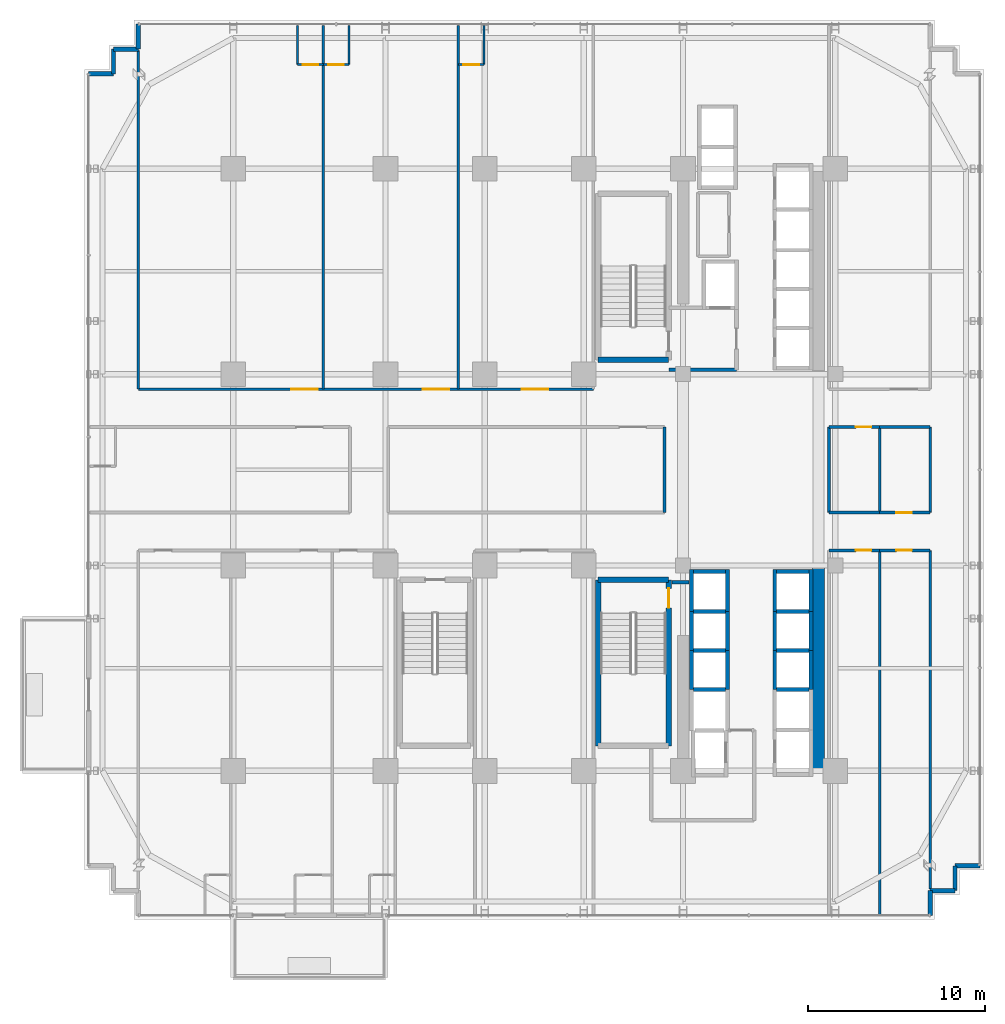
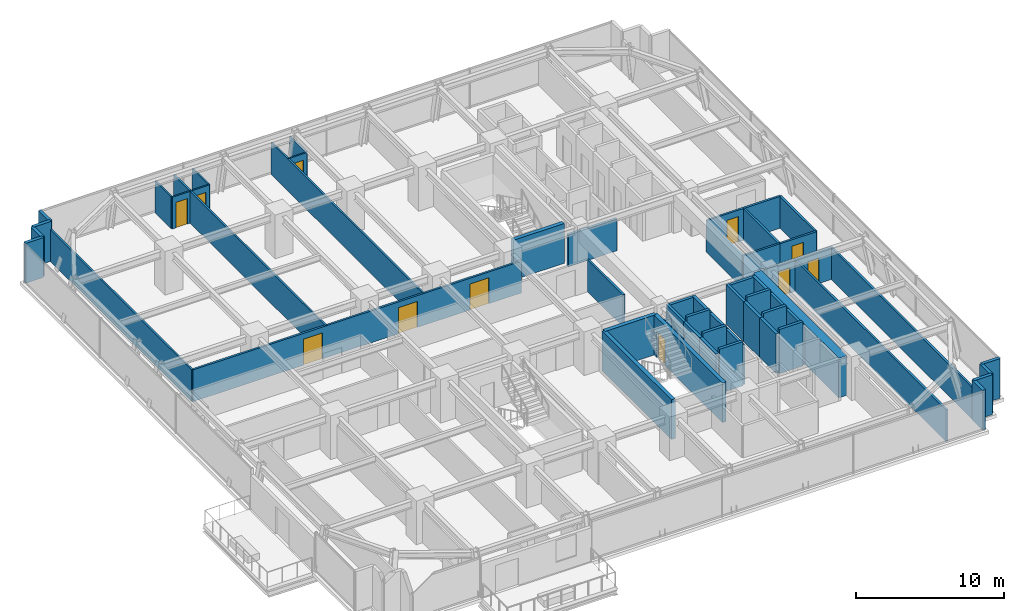
# One storey, part 30 of 35: 57 walls, 11 doors, 11 openings.
"""IFC4 building model written with IfcOpenShell, lengths in metres."""

from ifc_helpers import new_model, si_unit, direction, frame, frame_2d, origin, place, context, subcontext, project, spatial, rectangle, extrude, source, transform, mapped, material, layer, layer_set, type_object, element, fill, save


model = new_model("IFC4")

# Units and contexts
model_context = context("Model", 3, precision=1e-05, world=origin(), true_north=direction((0.0, 1.0)))
body_context = subcontext(model_context, "Body", "Model", "MODEL_VIEW")
ifc_project = project(units=[si_unit("LENGTHUNIT", "METRE"), si_unit("AREAUNIT", "SQUARE_METRE"), si_unit("VOLUMEUNIT", "CUBIC_METRE"), si_unit("PLANEANGLEUNIT", "RADIAN"), si_unit("MASSUNIT", "GRAM", prefix="KILO")], contexts=[model_context])

# Site, building, storey
site_placement = place(None, origin())
site = spatial("IfcSite", under=ifc_project, at=site_placement, CompositionType="ELEMENT")
building_placement = place(site_placement, origin())
building = spatial("IfcBuilding", under=site, at=building_placement, Name="Nahalor Promenade Grand Hotel", CompositionType="ELEMENT")
storey_placement = place(building_placement, frame((0.0, 0.0, 79.85009765625)))
storey = spatial("IfcBuildingStorey", under=building, at=storey_placement, Name="L19", CompositionType="ELEMENT", Elevation=79.85009765625)

# Walls
ifc_material_1 = material(Name="Concrete B-60 (C50/60)", Category="concrete")
ifc_layer_1 = layer(ifc_material_1, 0.64990234375)
ifc_layer_set_1 = layer_set([ifc_layer_1], Name="Concrete B-60 (C50/60)")
wall_type_1 = type_object("IfcWallType", Name="Wall-CoreShear-650", PredefinedType="SHEAR", material=ifc_layer_set_1)
shared_shape_1 = source(origin(), body_context, "Body", "SweptSolid", [
    extrude(rectangle(XDim=11.60009765625, YDim=0.64990234375, at=frame_2d((5.800048828125, 0.0))), origin(), (0.0, 0.0, 1.0), 3.289794921875),
])
wall_1_placement = place(storey_placement, frame((16.050048828125, -17.0, 0.0), z_axis=(0.0, 0.0, 1.0), x_axis=(0.0, 1.0, 0.0)))
element("IfcWall", 1, at=wall_1_placement, inside=storey, type_object=wall_type_1, Name="CWALL-L19-SE", PredefinedType="SHEAR", context=body_context, shape_type="MappedRepresentation", body=[
    mapped(shared_shape_1, transform((0.0, 0.0, 0.0), scale=1.0)),
])
ifc_material_2 = material(Name="Concrete B-50 (C40/50)", Category="concrete")
ifc_layer_2 = layer(ifc_material_2, 0.300048828125)
ifc_layer_set_2 = layer_set([ifc_layer_2], Name="Concrete B-50 (C40/50)")
wall_type_2 = type_object("IfcWallType", Name="Wall-ShaftShear-300", PredefinedType="SHEAR", material=ifc_layer_set_2)
shared_shape_2 = source(origin(), body_context, "Body", "SweptSolid", [
    extrude(rectangle(XDim=3.97998046875, YDim=0.300048828125, at=frame_2d((1.989990234375, 0.0))), origin(), (0.0, 0.0, 1.0), 3.289794921875),
])
for number, where, z_axis, x_axis, name in (
    (2, (3.610107421875, 6.2099609375, 0.0), (0.0, 0.0, 1.0), (1.0, 0.0, 0.0), "L19 Exit Stair ST1 Shaft Wall S"),
    (3, (3.610107421875, -6.2099609375, 0.0), (0.0, 0.0, 1.0), (1.0, 0.0, 0.0), "L19 Exit Stair ST2 Shaft Wall N"),
):
    element("IfcWall", number, at=place(storey_placement, frame(where, z_axis=z_axis, x_axis=x_axis)), inside=storey, type_object=wall_type_2, Name=name, PredefinedType="SHEAR", context=body_context, shape_type="MappedRepresentation", body=[
        mapped(shared_shape_2, transform((0.0, 0.0, 0.0), scale=1.0)),
    ])
shared_shape_3 = source(origin(), body_context, "Body", "SweptSolid", [
    extrude(rectangle(XDim=9.380126953125, YDim=0.300048828125, at=frame_2d((4.68994140625, 0.0))), origin(), (0.0, 0.0, 1.0), 3.289794921875),
])
wall_2_placement = place(storey_placement, frame((3.610107421875, -15.590087890625, 0.0), z_axis=(0.0, 0.0, 1.0), x_axis=(0.0, 1.0, 0.0)))
element("IfcWall", 4, at=wall_2_placement, inside=storey, type_object=wall_type_2, Name="L19 Exit Stair ST2 Shaft Wall W", PredefinedType="SHEAR", context=body_context, shape_type="MappedRepresentation", body=[
    mapped(shared_shape_3, transform((0.0, 0.0, 0.0), scale=1.0)),
])

# Wall, opening, door
wall_3_placement = place(storey_placement, frame((7.590087890625, -15.590087890625, 0.0), z_axis=(0.0, 0.0, 1.0), x_axis=(0.0, 1.0, 0.0)))
wall_3 = element("IfcWall", 5, at=wall_3_placement, inside=storey, type_object=wall_type_2, Name="L19 Exit Stair ST2 Shaft Wall E", PredefinedType="SHEAR", context=body_context, shape_type="MappedRepresentation", body=[
    mapped(shared_shape_3, transform((0.0, 0.0, 0.0), scale=1.0)),
])
opening_1_placement = place(wall_3_placement, frame((7.7900390625, 0.0, 0.0)))
opening_1 = element("IfcOpeningElement", 6, at=opening_1_placement, cuts=wall_3, Name="Opening D-ST1", PredefinedType="OPENING", context=body_context, shape_type="SweptSolid", body=[
    extrude(rectangle(XDim=1.10009765625, YDim=2.14990234375, at=frame_2d((0.550048828125, 1.074951171875))), frame((0.0, 0.159912109375, 0.0), z_axis=(0.0, -1.0, 0.0), x_axis=(1.0, 0.0, 0.0)), (0.0, 0.0, 1.0), 0.320068359375),
])
ifc_material_3 = material(Name="Steel S355JR", Category="steel")
door_type_1 = type_object("IfcDoorType", Name="Door-StairFire-1100", OperationType="NOTDEFINED", PredefinedType="DOOR", material=ifc_material_3)
shared_shape_4 = source(origin(), body_context, "Body", "SweptSolid", [
    extrude(rectangle(XDim=1.10009765625, YDim=2.14990234375, at=frame_2d((0.550048828125, 1.074951171875))), frame((0.0, 0.02490234375, 0.0), z_axis=(0.0, -1.0, 0.0), x_axis=(1.0, 0.0, 0.0)), (0.0, 0.0, 1.0), 0.050048828125),
])
door_1_placement = place(opening_1_placement, origin())
door_1 = element("IfcDoor", 7, at=door_1_placement, inside=storey, type_object=door_type_1, Name="DR-STAIR-ST2-L19", OperationType="SINGLE_SWING_RIGHT", OverallHeight=2.14990234375, OverallWidth=1.10009765625, PredefinedType="DOOR", context=body_context, shape_type="MappedRepresentation", body=[
    mapped(shared_shape_4, transform((0.0, 0.0, 0.0), scale=1.0)),
])
fill(opening_1, door_1)

# Walls
ifc_layer_3 = layer(ifc_material_2, 0.219970703125)
ifc_layer_set_3 = layer_set([ifc_layer_3], Name="Concrete B-50 (C40/50)")
wall_type_3 = type_object("IfcWallType", Name="Wall-LiftShaft-220", PredefinedType="SHEAR", material=ifc_layer_set_3)
shared_shape_5 = source(origin(), body_context, "Body", "SweptSolid", [
    extrude(rectangle(XDim=1.820068359375, YDim=0.219970703125, at=frame_2d((0.91015625, 0.0))), origin(), (0.0, 0.0, 1.0), 3.64990234375),
])
for number, where, z_axis, x_axis, name in (
    (8, (13.68994140625, -8.0, 0.0), (0.0, 0.0, 1.0), (1.0, 0.0, 0.0), "L19 Lift PL6 Hoistway Wall N"),
    (9, (13.68994140625, -10.199951171875, 0.0), (0.0, 0.0, 1.0), (1.0, 0.0, 0.0), "L19 Lift PL7 Hoistway Wall N"),
    (10, (13.68994140625, -12.39990234375, 0.0), (0.0, 0.0, 1.0), (1.0, 0.0, 0.0), "L19 Lift PL8 Hoistway Wall N"),
    (11, (8.989990234375, -8.0, 0.0), (0.0, 0.0, 1.0), (1.0, 0.0, 0.0), "L19 Lift PL10 Hoistway Wall N"),
    (12, (8.989990234375, -10.199951171875, 0.0), (0.0, 0.0, 1.0), (1.0, 0.0, 0.0), "L19 Lift PL11 Hoistway Wall N"),
    (13, (8.989990234375, -12.39990234375, 0.0), (0.0, 0.0, 1.0), (1.0, 0.0, 0.0), "L19 Lift PL12 Hoistway Wall N"),
):
    element("IfcWall", number, at=place(storey_placement, frame(where, z_axis=z_axis, x_axis=x_axis)), inside=storey, type_object=wall_type_3, Name=name, PredefinedType="SHEAR", context=body_context, shape_type="MappedRepresentation", body=[
        mapped(shared_shape_5, transform((0.0, 0.0, 0.0), scale=1.0)),
    ])
shared_shape_6 = source(origin(), body_context, "Body", "SweptSolid", [
    extrude(rectangle(XDim=2.360107421875, YDim=0.219970703125, at=frame_2d((1.18017578125, 0.0))), origin(), (0.0, 0.0, 1.0), 3.289794921875),
])
for number, where, z_axis, x_axis, name in (
    (14, (13.580078125, -8.0, 0.0), (0.0, 0.0, 1.0), (0.0, 1.0, 0.0), "L19 Lift PL5 Hoistway Wall W"),
    (15, (15.6201171875, -8.0, 0.0), (0.0, 0.0, 1.0), (0.0, 1.0, 0.0), "L19 Lift PL5 Hoistway Wall E"),
    (16, (8.8798828125, -8.0, 0.0), (0.0, 0.0, 1.0), (0.0, 1.0, 0.0), "L19 Lift PL9 Hoistway Wall W"),
    (17, (10.919921875, -8.0, 0.0), (0.0, 0.0, 1.0), (0.0, 1.0, 0.0), "L19 Lift PL9 Hoistway Wall E"),
):
    element("IfcWall", number, at=place(storey_placement, frame(where, z_axis=z_axis, x_axis=x_axis)), inside=storey, type_object=wall_type_3, Name=name, PredefinedType="SHEAR", context=body_context, shape_type="MappedRepresentation", body=[
        mapped(shared_shape_6, transform((0.0, 0.0, 0.0), scale=1.0)),
    ])
shared_shape_7 = source(origin(), body_context, "Body", "SweptSolid", [
    extrude(rectangle(XDim=1.820068359375, YDim=0.219970703125, at=frame_2d((0.91015625, 0.0))), origin(), (0.0, 0.0, 1.0), 3.289794921875),
])
for number, where, z_axis, x_axis, name in (
    (18, (13.68994140625, -5.75, 0.0), (0.0, 0.0, 1.0), (1.0, 0.0, 0.0), "L19 Lift PL5 Hoistway Wall N"),
    (19, (8.989990234375, -5.75, 0.0), (0.0, 0.0, 1.0), (1.0, 0.0, 0.0), "L19 Lift PL9 Hoistway Wall N"),
):
    element("IfcWall", number, at=place(storey_placement, frame(where, z_axis=z_axis, x_axis=x_axis)), inside=storey, type_object=wall_type_3, Name=name, PredefinedType="SHEAR", context=body_context, shape_type="MappedRepresentation", body=[
        mapped(shared_shape_7, transform((0.0, 0.0, 0.0), scale=1.0)),
    ])
shared_shape_8 = source(origin(), body_context, "Body", "SweptSolid", [
    extrude(rectangle(XDim=2.199951171875, YDim=0.219970703125, at=frame_2d((1.10009765625, 0.0))), origin(), (0.0, 0.0, 1.0), 3.289794921875),
])
for number, where, z_axis, x_axis, name in (
    (20, (13.580078125, -10.199951171875, 0.0), (0.0, 0.0, 1.0), (0.0, 1.0, 0.0), "L19 Lift PL6 Hoistway Wall W"),
    (21, (15.6201171875, -10.199951171875, 0.0), (0.0, 0.0, 1.0), (0.0, 1.0, 0.0), "L19 Lift PL6 Hoistway Wall E"),
    (22, (13.580078125, -12.39990234375, 0.0), (0.0, 0.0, 1.0), (0.0, 1.0, 0.0), "L19 Lift PL7 Hoistway Wall W"),
    (23, (15.6201171875, -12.39990234375, 0.0), (0.0, 0.0, 1.0), (0.0, 1.0, 0.0), "L19 Lift PL7 Hoistway Wall E"),
    (24, (8.8798828125, -10.199951171875, 0.0), (0.0, 0.0, 1.0), (0.0, 1.0, 0.0), "L19 Lift PL10 Hoistway Wall W"),
    (25, (10.919921875, -10.199951171875, 0.0), (0.0, 0.0, 1.0), (0.0, 1.0, 0.0), "L19 Lift PL10 Hoistway Wall E"),
    (26, (8.8798828125, -12.39990234375, 0.0), (0.0, 0.0, 1.0), (0.0, 1.0, 0.0), "L19 Lift PL11 Hoistway Wall W"),
    (27, (10.919921875, -12.39990234375, 0.0), (0.0, 0.0, 1.0), (0.0, 1.0, 0.0), "L19 Lift PL11 Hoistway Wall E"),
):
    element("IfcWall", number, at=place(storey_placement, frame(where, z_axis=z_axis, x_axis=x_axis)), inside=storey, type_object=wall_type_3, Name=name, PredefinedType="SHEAR", context=body_context, shape_type="MappedRepresentation", body=[
        mapped(shared_shape_8, transform((0.0, 0.0, 0.0), scale=1.0)),
    ])
ifc_material_4 = material(Name="Concrete B-40 (C32/40)", Category="concrete")
ifc_layer_4 = layer(ifc_material_4, 0.25)
ifc_layer_set_4 = layer_set([ifc_layer_4], Name="Concrete B-40 (C32/40)")
wall_type_4 = type_object("IfcWallType", Name="Wall-BronzePier-250", PredefinedType="STANDARD", material=ifc_layer_set_4)
shared_shape_9 = source(origin(), body_context, "Body", "SweptSolid", [
    extrude(rectangle(XDim=1.39990234375, YDim=0.25, at=frame_2d((0.699951171875, 0.0))), origin(), (0.0, 0.0, 1.0), 3.289794921875),
])
for number, where, z_axis, x_axis, name in (
    (28, (22.360107421875, -25.159912109375, 0.0), (0.0, 0.0, 1.0), (0.0, 1.0, 0.0), "W-L19-SR-01"),
    (29, (22.360107421875, -23.760009765625, 0.0), (0.0, 0.0, 1.0), (1.0, 0.0, 0.0), "W-L19-SR-02"),
    (30, (23.760009765625, -23.760009765625, 0.0), (0.0, 0.0, 1.0), (0.0, 1.0, 0.0), "W-L19-SR-03"),
    (31, (23.760009765625, -22.360107421875, 0.0), (0.0, 0.0, 1.0), (1.0, 0.0, 0.0), "W-L19-SR-04"),
    (32, (-22.360107421875, 23.760009765625, 0.0), (0.0, 0.0, 1.0), (0.0, 1.0, 0.0), "W-L19-SR-09"),
    (33, (-23.760009765625, 23.760009765625, 0.0), (0.0, 0.0, 1.0), (1.0, 0.0, 0.0), "W-L19-SR-10"),
    (34, (-23.760009765625, 22.360107421875, 0.0), (0.0, 0.0, 1.0), (0.0, 1.0, 0.0), "W-L19-SR-11"),
    (35, (-25.159912109375, 22.360107421875, 0.0), (0.0, 0.0, 1.0), (1.0, 0.0, 0.0), "W-L19-SR-12"),
):
    element("IfcWall", number, at=place(storey_placement, frame(where, z_axis=z_axis, x_axis=x_axis)), inside=storey, type_object=wall_type_4, Name=name, PredefinedType="STANDARD", context=body_context, shape_type="MappedRepresentation", body=[
        mapped(shared_shape_9, transform((0.0, 0.0, 0.0), scale=1.0)),
    ])
ifc_layer_5 = layer(ifc_material_4, 0.199951171875)
ifc_layer_set_5 = layer_set([ifc_layer_5], Name="Concrete B-40 (C32/40)")
wall_type_5 = type_object("IfcWallType", Name="Wall-PartFire-200", PredefinedType="PARTITIONING", material=ifc_layer_set_5)
shared_shape_10 = source(origin(), body_context, "Body", "SweptSolid", [
    extrude(rectangle(XDim=3.81982421875, YDim=0.199951171875, at=frame_2d((1.909912109375, 0.0))), origin(), (0.0, 0.0, 1.0), 2.6298828125),
])
wall_4_placement = place(storey_placement, frame((7.60009765625, 5.64990234375, 0.0), z_axis=(0.0, 0.0, 1.0), x_axis=(1.0, 0.0, 0.0)))
element("IfcWall", 36, at=wall_4_placement, inside=storey, type_object=wall_type_5, Name="W-L19-FF1-S", PredefinedType="PARTITIONING", context=body_context, shape_type="MappedRepresentation", body=[
    mapped(shared_shape_10, transform((0.0, 0.0, 0.0), scale=1.0)),
])
shared_shape_11 = source(origin(), body_context, "Body", "SweptSolid", [
    extrude(rectangle(XDim=0.969970703125, YDim=0.199951171875, at=frame_2d((0.48486328125, 0.0))), origin(), (0.0, 0.0, 1.0), 2.6298828125),
])
wall_5_placement = place(storey_placement, frame((7.77001953125, -6.35009765625, 0.0), z_axis=(0.0, 0.0, 1.0), x_axis=(1.0, 0.0, 0.0)))
element("IfcWall", 37, at=wall_5_placement, inside=storey, type_object=wall_type_5, Name="W-L19-FF2-N2", PredefinedType="PARTITIONING", context=body_context, shape_type="MappedRepresentation", body=[
    mapped(shared_shape_11, transform((0.0, 0.0, 0.0), scale=1.0)),
])
ifc_material_5 = material(Name="Acoustic Mineral Gypsum", Category="gypsum")
ifc_layer_6 = layer(ifc_material_5, 0.159912109375)
ifc_layer_set_6 = layer_set([ifc_layer_6], Name="Acoustic Mineral Gypsum")
wall_type_6 = type_object("IfcWallType", Name="Wall-PartCorridor-160", PredefinedType="PARTITIONING", material=ifc_layer_set_6)
shared_shape_12 = source(origin(), body_context, "Body", "SweptSolid", [
    extrude(rectangle(XDim=20.550048828125, YDim=0.159912109375, at=frame_2d((10.27490234375, 0.0))), origin(), (0.0, 0.0, 1.0), 2.6298828125),
])
wall_6_placement = place(storey_placement, frame((19.5048828125, -25.10009765625, 0.0), z_axis=(0.0, 0.0, 1.0), x_axis=(0.0, 1.0, 0.0)))
element("IfcWall", 38, at=wall_6_placement, inside=storey, type_object=wall_type_6, Name="W-L19-ESE1-E", PredefinedType="PARTITIONING", context=body_context, shape_type="MappedRepresentation", body=[
    mapped(shared_shape_12, transform((0.0, 0.0, 0.0), scale=1.0)),
])
shared_shape_13 = source(origin(), body_context, "Body", "SweptSolid", [
    extrude(rectangle(XDim=19.1298828125, YDim=0.159912109375, at=frame_2d((9.56494140625, 0.0))), origin(), (0.0, 0.0, 1.0), 2.6298828125),
])
wall_7_placement = place(storey_placement, frame((22.360107421875, -23.679931640625, 0.0), z_axis=(0.0, 0.0, 1.0), x_axis=(0.0, 1.0, 0.0)))
element("IfcWall", 39, at=wall_7_placement, inside=storey, type_object=wall_type_6, Name="W-L19-ESE2-E", PredefinedType="PARTITIONING", context=body_context, shape_type="MappedRepresentation", body=[
    mapped(shared_shape_13, transform((0.0, 0.0, 0.0), scale=1.0)),
])

# Wall, opening, door
shared_shape_14 = source(origin(), body_context, "Body", "SweptSolid", [
    extrude(rectangle(XDim=2.85498046875, YDim=0.159912109375, at=frame_2d((1.427490234375, 0.0))), origin(), (0.0, 0.0, 1.0), 2.6298828125),
])
wall_8_placement = place(storey_placement, frame((16.64990234375, -4.550048828125, 0.0), z_axis=(0.0, 0.0, 1.0), x_axis=(1.0, 0.0, 0.0)))
wall_8 = element("IfcWall", 40, at=wall_8_placement, inside=storey, type_object=wall_type_6, Name="W-L19-ESE1-N", PredefinedType="PARTITIONING", context=body_context, shape_type="MappedRepresentation", body=[
    mapped(shared_shape_14, transform((0.0, 0.0, 0.0), scale=1.0)),
])
opening_2_placement = place(wall_8_placement, frame((1.510986328125, 0.0, 0.0)))
opening_2 = element("IfcOpeningElement", 41, at=opening_2_placement, cuts=wall_8, Name="Opening D-03", PredefinedType="OPENING", context=body_context, shape_type="SweptSolid", body=[
    extrude(rectangle(XDim=0.8798828125, YDim=2.10009765625, at=frame_2d((0.43994140625, 1.050048828125))), frame((0.0, 0.08984375, 0.0), z_axis=(0.0, -1.0, 0.0), x_axis=(1.0, 0.0, 0.0)), (0.0, 0.0, 1.0), 0.179931640625),
])
ifc_material_6 = material(Name="Fire-Rated Timber Composite", Category="wood")
door_type_2 = type_object("IfcDoorType", Name="Door-BathSwing-880", OperationType="NOTDEFINED", PredefinedType="DOOR", material=ifc_material_6)
shared_shape_15 = source(origin(), body_context, "Body", "SweptSolid", [
    extrude(rectangle(XDim=0.8798828125, YDim=2.10009765625, at=frame_2d((0.43994140625, 1.050048828125))), frame((0.0, 0.02490234375, 0.0), z_axis=(0.0, -1.0, 0.0), x_axis=(1.0, 0.0, 0.0)), (0.0, 0.0, 1.0), 0.050048828125),
])
door_2_placement = place(opening_2_placement, frame((0.8798828125, 0.0, 0.0), z_axis=(0.0, 0.0, 1.0), x_axis=(-1.0, 0.0, 0.0)))
door_2 = element("IfcDoor", 42, at=door_2_placement, inside=storey, type_object=door_type_2, Name="DR-L19-ESE1", OperationType="SINGLE_SWING_LEFT", OverallHeight=2.10009765625, OverallWidth=0.8798828125, PredefinedType="DOOR", context=body_context, shape_type="MappedRepresentation", body=[
    mapped(shared_shape_15, transform((0.0, 0.0, 0.0), scale=1.0)),
])
fill(opening_2, door_2)

# Wall
wall_9_placement = place(storey_placement, frame((16.64990234375, -2.419921875, 0.0), z_axis=(0.0, 0.0, 1.0), x_axis=(1.0, 0.0, 0.0)))
element("IfcWall", 43, at=wall_9_placement, inside=storey, type_object=wall_type_6, Name="W-L19-ECW1-S", PredefinedType="PARTITIONING", context=body_context, shape_type="MappedRepresentation", body=[
    mapped(shared_shape_14, transform((0.0, 0.0, 0.0), scale=1.0)),
])

# Wall, opening, door
wall_10_placement = place(storey_placement, frame((16.64990234375, 2.419921875, 0.0), z_axis=(0.0, 0.0, 1.0), x_axis=(1.0, 0.0, 0.0)))
wall_10 = element("IfcWall", 44, at=wall_10_placement, inside=storey, type_object=wall_type_6, Name="W-L19-ECW1-N", PredefinedType="PARTITIONING", context=body_context, shape_type="MappedRepresentation", body=[
    mapped(shared_shape_14, transform((0.0, 0.0, 0.0), scale=1.0)),
])
opening_3_placement = place(wall_10_placement, frame((1.510986328125, 0.0, 0.0)))
opening_3 = element("IfcOpeningElement", 45, at=opening_3_placement, cuts=wall_10, Name="Opening D-03", PredefinedType="OPENING", context=body_context, shape_type="SweptSolid", body=[
    extrude(rectangle(XDim=0.8798828125, YDim=2.10009765625, at=frame_2d((0.43994140625, 1.050048828125))), frame((0.0, 0.08984375, 0.0), z_axis=(0.0, -1.0, 0.0), x_axis=(1.0, 0.0, 0.0)), (0.0, 0.0, 1.0), 0.179931640625),
])
door_3_placement = place(opening_3_placement, frame((0.8798828125, 0.0, 0.0), z_axis=(0.0, 0.0, 1.0), x_axis=(-1.0, 0.0, 0.0)))
door_3 = element("IfcDoor", 46, at=door_3_placement, inside=storey, type_object=door_type_2, Name="DR-L19-ECW1", OperationType="SINGLE_SWING_LEFT", OverallHeight=2.10009765625, OverallWidth=0.8798828125, PredefinedType="DOOR", context=body_context, shape_type="MappedRepresentation", body=[
    mapped(shared_shape_15, transform((0.0, 0.0, 0.0), scale=1.0)),
])
fill(opening_3, door_3)

shared_shape_16 = source(origin(), body_context, "Body", "SweptSolid", [
    extrude(rectangle(XDim=2.855224609375, YDim=0.159912109375, at=frame_2d((1.427734375, 0.0))), origin(), (0.0, 0.0, 1.0), 2.6298828125),
])
wall_11_placement = place(storey_placement, frame((19.5048828125, -4.550048828125, 0.0), z_axis=(0.0, 0.0, 1.0), x_axis=(1.0, 0.0, 0.0)))
wall_11 = element("IfcWall", 47, at=wall_11_placement, inside=storey, type_object=wall_type_6, Name="W-L19-ESE2-N", PredefinedType="PARTITIONING", context=body_context, shape_type="MappedRepresentation", body=[
    mapped(shared_shape_16, transform((0.0, 0.0, 0.0), scale=1.0)),
])
opening_4_placement = place(wall_11_placement, frame((0.93994140625, 0.0, 0.0)))
opening_4 = element("IfcOpeningElement", 48, at=opening_4_placement, cuts=wall_11, Name="Opening D-03", PredefinedType="OPENING", context=body_context, shape_type="SweptSolid", body=[
    extrude(rectangle(XDim=0.8798828125, YDim=2.10009765625, at=frame_2d((0.43994140625, 1.050048828125))), frame((0.0, 0.08984375, 0.0), z_axis=(0.0, -1.0, 0.0), x_axis=(1.0, 0.0, 0.0)), (0.0, 0.0, 1.0), 0.179931640625),
])
door_4_placement = place(opening_4_placement, frame((0.8798828125, 0.0, 0.0), z_axis=(0.0, 0.0, 1.0), x_axis=(-1.0, 0.0, 0.0)))
door_4 = element("IfcDoor", 49, at=door_4_placement, inside=storey, type_object=door_type_2, Name="DR-L19-ESE2", OperationType="SINGLE_SWING_RIGHT", OverallHeight=2.10009765625, OverallWidth=0.8798828125, PredefinedType="DOOR", context=body_context, shape_type="MappedRepresentation", body=[
    mapped(shared_shape_15, transform((0.0, 0.0, 0.0), scale=1.0)),
])
fill(opening_4, door_4)

wall_12_placement = place(storey_placement, frame((19.5048828125, -2.419921875, 0.0), z_axis=(0.0, 0.0, 1.0), x_axis=(1.0, 0.0, 0.0)))
wall_12 = element("IfcWall", 50, at=wall_12_placement, inside=storey, type_object=wall_type_6, Name="W-L19-ECW2-S", PredefinedType="PARTITIONING", context=body_context, shape_type="MappedRepresentation", body=[
    mapped(shared_shape_16, transform((0.0, 0.0, 0.0), scale=1.0)),
])
opening_5_placement = place(wall_12_placement, frame((0.93994140625, 0.0, 0.0)))
opening_5 = element("IfcOpeningElement", 51, at=opening_5_placement, cuts=wall_12, Name="Opening D-03", PredefinedType="OPENING", context=body_context, shape_type="SweptSolid", body=[
    extrude(rectangle(XDim=0.8798828125, YDim=2.10009765625, at=frame_2d((0.43994140625, 1.050048828125))), frame((0.0, 0.08984375, 0.0), z_axis=(0.0, -1.0, 0.0), x_axis=(1.0, 0.0, 0.0)), (0.0, 0.0, 1.0), 0.179931640625),
])
door_5_placement = place(opening_5_placement, origin())
door_5 = element("IfcDoor", 52, at=door_5_placement, inside=storey, type_object=door_type_2, Name="DR-L19-ECW2", OperationType="SINGLE_SWING_RIGHT", OverallHeight=2.10009765625, OverallWidth=0.8798828125, PredefinedType="DOOR", context=body_context, shape_type="MappedRepresentation", body=[
    mapped(shared_shape_15, transform((0.0, 0.0, 0.0), scale=1.0)),
])
fill(opening_5, door_5)

# Wall
wall_13_placement = place(storey_placement, frame((19.5048828125, 2.419921875, 0.0), z_axis=(0.0, 0.0, 1.0), x_axis=(1.0, 0.0, 0.0)))
element("IfcWall", 53, at=wall_13_placement, inside=storey, type_object=wall_type_6, Name="W-L19-ECW2-N", PredefinedType="PARTITIONING", context=body_context, shape_type="MappedRepresentation", body=[
    mapped(shared_shape_16, transform((0.0, 0.0, 0.0), scale=1.0)),
])

# Wall, openings, doors
shared_shape_17 = source(origin(), body_context, "Body", "SweptSolid", [
    extrude(rectangle(XDim=25.7001953125, YDim=0.159912109375, at=frame_2d((12.85009765625, 0.0))), origin(), (0.0, 0.0, 1.0), 2.6298828125),
])
wall_14_placement = place(storey_placement, frame((-22.360107421875, 4.550048828125, 0.0), z_axis=(0.0, 0.0, 1.0), x_axis=(1.0, 0.0, 0.0)))
wall_14 = element("IfcWall", 54, at=wall_14_placement, inside=storey, type_object=wall_type_6, Name="W-L19-CORR-N", PredefinedType="PARTITIONING", context=body_context, shape_type="MappedRepresentation", body=[
    mapped(shared_shape_17, transform((0.0, 0.0, 0.0), scale=1.0)),
])
opening_6_placement = place(wall_14_placement, frame((8.631103515625, 0.0, 0.0)))
opening_6 = element("IfcOpeningElement", 55, at=opening_6_placement, cuts=wall_14, Name="Opening D-02", PredefinedType="OPENING", context=body_context, shape_type="SweptSolid", body=[
    extrude(rectangle(XDim=1.5, YDim=2.14990234375, at=frame_2d((0.75, 1.074951171875))), frame((0.0, 0.08984375, 0.0), z_axis=(0.0, -1.0, 0.0), x_axis=(1.0, 0.0, 0.0)), (0.0, 0.0, 1.0), 0.179931640625),
])
opening_7_placement = place(wall_14_placement, frame((16.06201171875, 0.0, 0.0)))
opening_7 = element("IfcOpeningElement", 56, at=opening_7_placement, cuts=wall_14, Name="Opening D-02", PredefinedType="OPENING", context=body_context, shape_type="SweptSolid", body=[
    extrude(rectangle(XDim=1.5, YDim=2.14990234375, at=frame_2d((0.75, 1.074951171875))), frame((0.0, 0.08984375, 0.0), z_axis=(0.0, -1.0, 0.0), x_axis=(1.0, 0.0, 0.0)), (0.0, 0.0, 1.0), 0.179931640625),
])
opening_8_placement = place(wall_14_placement, frame((21.64794921875, 0.0, 0.0)))
opening_8 = element("IfcOpeningElement", 57, at=opening_8_placement, cuts=wall_14, Name="Opening D-02", PredefinedType="OPENING", context=body_context, shape_type="SweptSolid", body=[
    extrude(rectangle(XDim=1.5, YDim=2.14990234375, at=frame_2d((0.75, 1.074951171875))), frame((0.0, 0.08984375, 0.0), z_axis=(0.0, -1.0, 0.0), x_axis=(1.0, 0.0, 0.0)), (0.0, 0.0, 1.0), 0.179931640625),
])
door_type_3 = type_object("IfcDoorType", Name="Door-SuiteDouble-1500", OperationType="DOUBLE_DOOR_SINGLE_SWING", PredefinedType="DOOR", material=ifc_material_6)
shared_shape_18 = source(origin(), body_context, "Body", "SweptSolid", [
    extrude(rectangle(XDim=1.5, YDim=2.14990234375, at=frame_2d((0.75, 1.074951171875))), frame((0.0, 0.02490234375, 0.0), z_axis=(0.0, -1.0, 0.0), x_axis=(1.0, 0.0, 0.0)), (0.0, 0.0, 1.0), 0.050048828125),
])
door_6_placement = place(opening_6_placement, origin())
door_6 = element("IfcDoor", 58, at=door_6_placement, inside=storey, type_object=door_type_3, Name="DR-L19-N1-ENT", OperationType="DOUBLE_DOOR_SINGLE_SWING", OverallHeight=2.14990234375, OverallWidth=1.5, PredefinedType="DOOR", context=body_context, shape_type="MappedRepresentation", body=[
    mapped(shared_shape_18, transform((0.0, 0.0, 0.0), scale=1.0)),
])
fill(opening_6, door_6)
door_7_placement = place(opening_7_placement, origin())
door_7 = element("IfcDoor", 59, at=door_7_placement, inside=storey, type_object=door_type_3, Name="DR-L19-N2-ENT", OperationType="DOUBLE_DOOR_SINGLE_SWING", OverallHeight=2.14990234375, OverallWidth=1.5, PredefinedType="DOOR", context=body_context, shape_type="MappedRepresentation", body=[
    mapped(shared_shape_18, transform((0.0, 0.0, 0.0), scale=1.0)),
])
fill(opening_7, door_7)
door_8_placement = place(opening_8_placement, origin())
door_8 = element("IfcDoor", 60, at=door_8_placement, inside=storey, type_object=door_type_3, Name="DR-L19-N3-ENT", OperationType="DOUBLE_DOOR_SINGLE_SWING", OverallHeight=2.14990234375, OverallWidth=1.5, PredefinedType="DOOR", context=body_context, shape_type="MappedRepresentation", body=[
    mapped(shared_shape_18, transform((0.0, 0.0, 0.0), scale=1.0)),
])
fill(opening_8, door_8)

# Walls
ifc_layer_7 = layer(ifc_material_5, 0.139892578125)
ifc_layer_set_7 = layer_set([ifc_layer_7], Name="Acoustic Mineral Gypsum")
wall_type_7 = type_object("IfcWallType", Name="Wall-PartSuite-140", PredefinedType="PARTITIONING", material=ifc_layer_set_7)
shared_shape_19 = source(origin(), body_context, "Body", "SweptSolid", [
    extrude(rectangle(XDim=19.1298828125, YDim=0.139892578125, at=frame_2d((9.56494140625, 0.0))), origin(), (0.0, 0.0, 1.0), 2.6298828125),
])
wall_15_placement = place(storey_placement, frame((-22.360107421875, 4.550048828125, 0.0), z_axis=(0.0, 0.0, 1.0), x_axis=(0.0, 1.0, 0.0)))
element("IfcWall", 61, at=wall_15_placement, inside=storey, type_object=wall_type_7, Name="W-L19-NW-ENDW", PredefinedType="PARTITIONING", context=body_context, shape_type="MappedRepresentation", body=[
    mapped(shared_shape_19, transform((0.0, 0.0, 0.0), scale=1.0)),
])
shared_shape_20 = source(origin(), body_context, "Body", "SweptSolid", [
    extrude(rectangle(XDim=20.550048828125, YDim=0.139892578125, at=frame_2d((10.27490234375, 0.0))), origin(), (0.0, 0.0, 1.0), 2.6298828125),
])
for number, where, z_axis, x_axis, name in (
    (62, (-11.909912109375, 4.550048828125, 0.0), (0.0, 0.0, 1.0), (0.0, 1.0, 0.0), "W-L19-NP-1"),
    (63, (-4.284912109375, 4.550048828125, 0.0), (0.0, 0.0, 1.0), (0.0, 1.0, 0.0), "W-L19-NP-2"),
):
    element("IfcWall", number, at=place(storey_placement, frame(where, z_axis=z_axis, x_axis=x_axis)), inside=storey, type_object=wall_type_7, Name=name, PredefinedType="PARTITIONING", context=body_context, shape_type="MappedRepresentation", body=[
        mapped(shared_shape_20, transform((0.0, 0.0, 0.0), scale=1.0)),
    ])

# Wall, opening, door
ifc_layer_8 = layer(ifc_material_5, 0.1201171875)
ifc_layer_set_8 = layer_set([ifc_layer_8], Name="Acoustic Mineral Gypsum")
wall_type_8 = type_object("IfcWallType", Name="Wall-PartBath-120", PredefinedType="PARTITIONING", material=ifc_layer_set_8)
shared_shape_21 = source(origin(), body_context, "Body", "SweptSolid", [
    extrude(rectangle(XDim=1.4501953125, YDim=0.1201171875, at=frame_2d((0.72509765625, 0.0))), origin(), (0.0, 0.0, 1.0), 2.6298828125),
])
wall_16_placement = place(storey_placement, frame((-13.360107421875, 22.8798828125, 0.0), z_axis=(0.0, 0.0, 1.0), x_axis=(1.0, 0.0, 0.0)))
wall_16 = element("IfcWall", 64, at=wall_16_placement, inside=storey, type_object=wall_type_8, Name="W-L19-N1-BH", PredefinedType="PARTITIONING", context=body_context, shape_type="MappedRepresentation", body=[
    mapped(shared_shape_21, transform((0.0, 0.0, 0.0), scale=1.0)),
])
opening_9_placement = place(wall_16_placement, frame((0.284912109375, 0.0, 0.0)))
opening_9 = element("IfcOpeningElement", 65, at=opening_9_placement, cuts=wall_16, Name="Opening D-03", PredefinedType="OPENING", context=body_context, shape_type="SweptSolid", body=[
    extrude(rectangle(XDim=0.8798828125, YDim=2.10009765625, at=frame_2d((0.43994140625, 1.050048828125))), frame((0.0, 0.070068359375, 0.0), z_axis=(0.0, -1.0, 0.0), x_axis=(1.0, 0.0, 0.0)), (0.0, 0.0, 1.0), 0.14013671875),
])
door_9_placement = place(opening_9_placement, origin())
door_9 = element("IfcDoor", 66, at=door_9_placement, inside=storey, type_object=door_type_2, Name="DR-L19-N1-BATH", OperationType="SINGLE_SWING_LEFT", OverallHeight=2.10009765625, OverallWidth=0.8798828125, PredefinedType="DOOR", context=body_context, shape_type="MappedRepresentation", body=[
    mapped(shared_shape_15, transform((0.0, 0.0, 0.0), scale=1.0)),
])
fill(opening_9, door_9)

# Walls
shared_shape_22 = source(origin(), body_context, "Body", "SweptSolid", [
    extrude(rectangle(XDim=2.22021484375, YDim=0.1201171875, at=frame_2d((1.110107421875, 0.0))), origin(), (0.0, 0.0, 1.0), 2.6298828125),
])
for number, where, z_axis, x_axis, name in (
    (67, (-13.360107421875, 22.8798828125, 0.0), (0.0, 0.0, 1.0), (0.0, 1.0, 0.0), "W-L19-N1-BV"),
    (68, (-10.4599609375, 22.8798828125, 0.0), (0.0, 0.0, 1.0), (0.0, 1.0, 0.0), "W-L19-N2-BV"),
    (69, (-2.8349609375, 22.8798828125, 0.0), (0.0, 0.0, 1.0), (0.0, 1.0, 0.0), "W-L19-N3-BV"),
):
    element("IfcWall", number, at=place(storey_placement, frame(where, z_axis=z_axis, x_axis=x_axis)), inside=storey, type_object=wall_type_8, Name=name, PredefinedType="PARTITIONING", context=body_context, shape_type="MappedRepresentation", body=[
        mapped(shared_shape_22, transform((0.0, 0.0, 0.0), scale=1.0)),
    ])

# Wall, opening, door
shared_shape_23 = source(origin(), body_context, "Body", "SweptSolid", [
    extrude(rectangle(XDim=1.449951171875, YDim=0.1201171875, at=frame_2d((0.72509765625, 0.0))), origin(), (0.0, 0.0, 1.0), 2.6298828125),
])
wall_17_placement = place(storey_placement, frame((-11.909912109375, 22.8798828125, 0.0), z_axis=(0.0, 0.0, 1.0), x_axis=(1.0, 0.0, 0.0)))
wall_17 = element("IfcWall", 70, at=wall_17_placement, inside=storey, type_object=wall_type_8, Name="W-L19-N2-BH", PredefinedType="PARTITIONING", context=body_context, shape_type="MappedRepresentation", body=[
    mapped(shared_shape_23, transform((0.0, 0.0, 0.0), scale=1.0)),
])
opening_10_placement = place(wall_17_placement, frame((0.284912109375, 0.0, 0.0)))
opening_10 = element("IfcOpeningElement", 71, at=opening_10_placement, cuts=wall_17, Name="Opening D-03", PredefinedType="OPENING", context=body_context, shape_type="SweptSolid", body=[
    extrude(rectangle(XDim=0.8798828125, YDim=2.10009765625, at=frame_2d((0.43994140625, 1.050048828125))), frame((0.0, 0.070068359375, 0.0), z_axis=(0.0, -1.0, 0.0), x_axis=(1.0, 0.0, 0.0)), (0.0, 0.0, 1.0), 0.14013671875),
])
door_10_placement = place(opening_10_placement, origin())
door_10 = element("IfcDoor", 72, at=door_10_placement, inside=storey, type_object=door_type_2, Name="DR-L19-N2-BATH", OperationType="SINGLE_SWING_RIGHT", OverallHeight=2.10009765625, OverallWidth=0.8798828125, PredefinedType="DOOR", context=body_context, shape_type="MappedRepresentation", body=[
    mapped(shared_shape_15, transform((0.0, 0.0, 0.0), scale=1.0)),
])
fill(opening_10, door_10)

wall_18_placement = place(storey_placement, frame((-4.284912109375, 22.8798828125, 0.0), z_axis=(0.0, 0.0, 1.0), x_axis=(1.0, 0.0, 0.0)))
wall_18 = element("IfcWall", 73, at=wall_18_placement, inside=storey, type_object=wall_type_8, Name="W-L19-N3-BH", PredefinedType="PARTITIONING", context=body_context, shape_type="MappedRepresentation", body=[
    mapped(shared_shape_23, transform((0.0, 0.0, 0.0), scale=1.0)),
])
opening_11_placement = place(wall_18_placement, frame((0.284912109375, 0.0, 0.0)))
opening_11 = element("IfcOpeningElement", 74, at=opening_11_placement, cuts=wall_18, Name="Opening D-03", PredefinedType="OPENING", context=body_context, shape_type="SweptSolid", body=[
    extrude(rectangle(XDim=0.8798828125, YDim=2.10009765625, at=frame_2d((0.43994140625, 1.050048828125))), frame((0.0, 0.070068359375, 0.0), z_axis=(0.0, -1.0, 0.0), x_axis=(1.0, 0.0, 0.0)), (0.0, 0.0, 1.0), 0.14013671875),
])
door_11_placement = place(opening_11_placement, origin())
door_11 = element("IfcDoor", 75, at=door_11_placement, inside=storey, type_object=door_type_2, Name="DR-L19-N3-BATH", OperationType="SINGLE_SWING_LEFT", OverallHeight=2.10009765625, OverallWidth=0.8798828125, PredefinedType="DOOR", context=body_context, shape_type="MappedRepresentation", body=[
    mapped(shared_shape_15, transform((0.0, 0.0, 0.0), scale=1.0)),
])
fill(opening_11, door_11)

# Walls
shared_shape_24 = source(origin(), body_context, "Body", "SweptSolid", [
    extrude(rectangle(XDim=4.83984375, YDim=0.159912109375, at=frame_2d((2.419921875, 0.0))), origin(), (0.0, 0.0, 1.0), 2.6298828125),
])
for number, where, z_axis, x_axis, name in (
    (76, (7.35009765625, -2.419921875, 0.0), (0.0, 0.0, 1.0), (0.0, 1.0, 0.0), "W-L19-CM1-E"),
    (77, (16.64990234375, -2.419921875, 0.0), (0.0, 0.0, 1.0), (0.0, 1.0, 0.0), "W-L19-ECW1-W"),
    (78, (19.5048828125, -2.419921875, 0.0), (0.0, 0.0, 1.0), (0.0, 1.0, 0.0), "W-L19-ECW1-E"),
    (79, (22.360107421875, -2.419921875, 0.0), (0.0, 0.0, 1.0), (0.0, 1.0, 0.0), "W-L19-ECW2-E"),
):
    element("IfcWall", number, at=place(storey_placement, frame(where, z_axis=z_axis, x_axis=x_axis)), inside=storey, type_object=wall_type_6, Name=name, PredefinedType="PARTITIONING", context=body_context, shape_type="MappedRepresentation", body=[
        mapped(shared_shape_24, transform((0.0, 0.0, 0.0), scale=1.0)),
    ])

save(model, "model.ifc")
